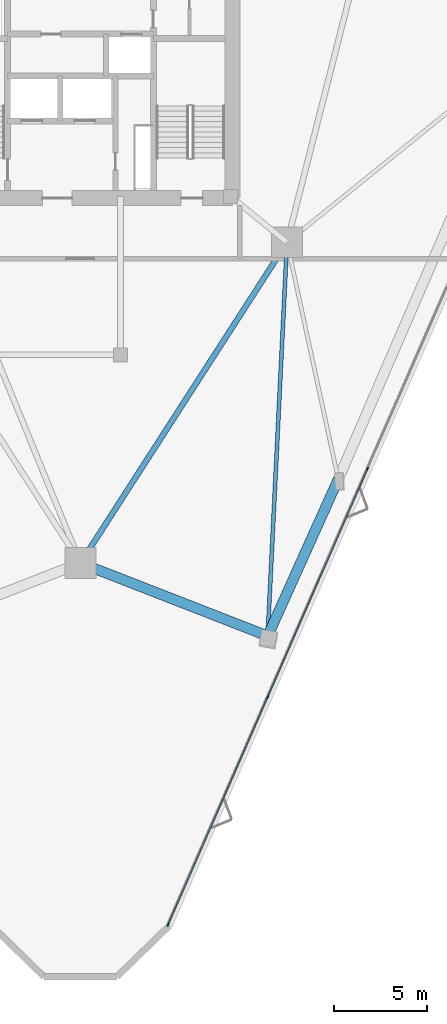
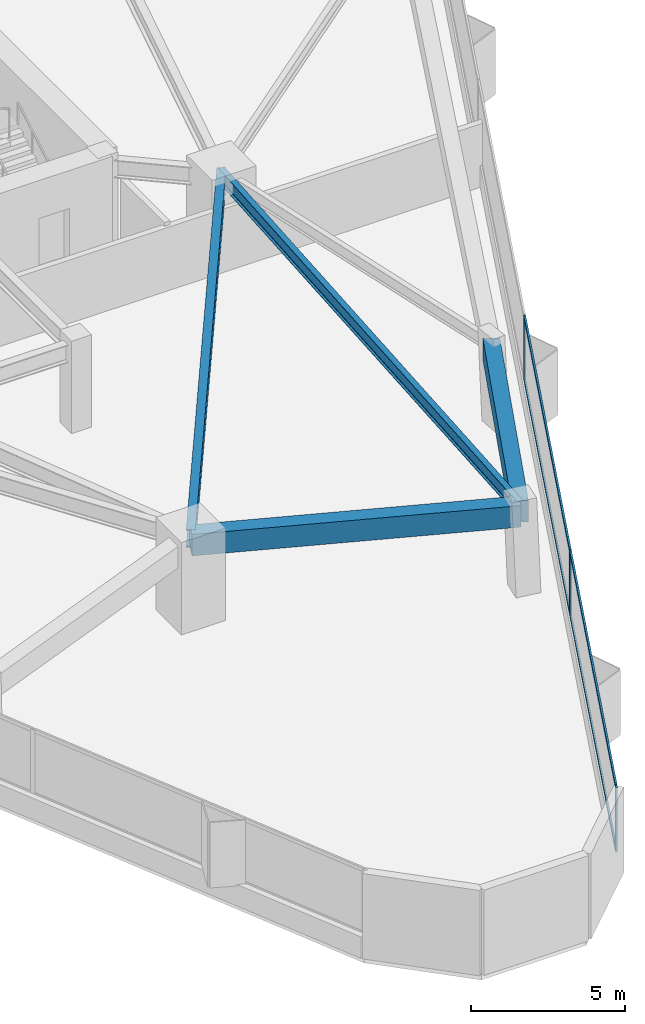
# One storey, part 4 of 19: 7 members, 4 beams, 1 element without a shape of its own.
"""IFC4 building model written with IfcOpenShell, lengths in metres."""

from ifc_helpers import new_model, si_unit, direction, frame, origin, origin_2d, place, context, subcontext, project, spatial, rectangle, i_section, extrude, material, layer, layer_set, material_profile, profile_set, type_object, element, aggregate, save


model = new_model("IFC4")

# Units and contexts
model_context = context("Model", 3, precision=1e-05, world=origin(), true_north=direction((0.0, 1.0)))
body_context = subcontext(model_context, "Body", "Model", "MODEL_VIEW")
ifc_project = project(units=[si_unit("LENGTHUNIT", "METRE"), si_unit("AREAUNIT", "SQUARE_METRE"), si_unit("VOLUMEUNIT", "CUBIC_METRE"), si_unit("PLANEANGLEUNIT", "RADIAN"), si_unit("MASSUNIT", "GRAM", prefix="KILO")], contexts=[model_context])

# Site, building, storey
site_placement = place(None, origin())
site = spatial("IfcSite", under=ifc_project, at=site_placement, CompositionType="ELEMENT")
building_placement = place(site_placement, origin())
building = spatial("IfcBuilding", under=site, at=building_placement, Name="Talyreon Biosciences Tower", CompositionType="ELEMENT")
storey_placement = place(building_placement, frame((0.0, 0.0, 85.949951171875)))
storey = spatial("IfcBuildingStorey", under=building, at=storey_placement, Name="L22", CompositionType="ELEMENT", Elevation=85.949951171875)

# Curtain wall, members
ifc_material_1 = material(Name="Thermally broken aluminium and low-E glazing", Category="aluminium")
ifc_layer = layer(ifc_material_1, 0.18994140625)
ifc_layer_set = layer_set([ifc_layer], Name="Thermally broken aluminium and low-E glazing")
curtain_wall_type = type_object("IfcCurtainWallType", Name="CurtainWall_Zone2Genomics", PredefinedType="NOTDEFINED", material=ifc_layer_set)
curtain_wall_placement = place(storey_placement, origin())
curtain_wall = element("IfcCurtainWall", 1, at=curtain_wall_placement, inside=storey, type_object=curtain_wall_type, Name="L22 Unitised Curtain Wall FCW-L22-08", PredefinedType="NOTDEFINED")
ifc_material_2 = material(Name="Anodised thermally broken aluminium", Category="aluminium")
ifc_material_profile_1 = material_profile(ifc_material_2, rectangle(XDim=0.06494140625, YDim=0.179931640625, at=origin_2d()), Name="ALUM MULLION 65x180")
ifc_profile_set_1 = profile_set([ifc_material_profile_1], Name="Anodised thermally broken aluminium")
member_type_1 = type_object("IfcMemberType", Name="CWMullion_65x180", PredefinedType="MULLION", material=ifc_profile_set_1)
member_1_placement = place(storey_placement, frame((81.40478515625, 46.721435546875, 0.81005859375), z_axis=(0.0, 0.0, 1.0), x_axis=(0.916213942072, -0.400689421314, 0.0)))
member_1 = element("IfcMember", 2, at=member_1_placement, type_object=member_type_1, Name="CW3 mullion 4", PredefinedType="MULLION", context=body_context, shape_type="SweptSolid", body=[
    extrude(rectangle(XDim=0.06494140625, YDim=0.179931640625, at=origin_2d()), origin(), (0.0, 0.0, 1.0), 2.56494140625),
])
member_2_placement = place(storey_placement, frame((76.0478515625, 34.472412109375, 0.81005859375), z_axis=(0.0, 0.0, 1.0), x_axis=(0.916213942072, -0.400689421314, 0.0)))
member_2 = element("IfcMember", 3, at=member_2_placement, type_object=member_type_1, Name="CW3 mullion 5", PredefinedType="MULLION", context=body_context, shape_type="SweptSolid", body=[
    extrude(rectangle(XDim=0.06494140625, YDim=0.179931640625, at=origin_2d()), origin(), (0.0, 0.0, 1.0), 2.56494140625),
])
member_3_placement = place(storey_placement, frame((70.7041015625, 22.253173828125, 0.81005859375), z_axis=(0.0, 0.0, 1.0), x_axis=(0.916213942072, -0.400689421314, 0.0)))
member_3 = element("IfcMember", 4, at=member_3_placement, type_object=member_type_1, Name="CW3 mullion 6", PredefinedType="MULLION", context=body_context, shape_type="SweptSolid", body=[
    extrude(rectangle(XDim=0.06494140625, YDim=0.179931640625, at=origin_2d()), origin(), (0.0, 0.0, 1.0), 2.56494140625),
])
ifc_material_profile_2 = material_profile(ifc_material_2, rectangle(XDim=0.06494140625, YDim=0.139892578125, at=origin_2d()), Name="ALUM TRANSOM 65x140")
ifc_profile_set_2 = profile_set([ifc_material_profile_2], Name="Anodised thermally broken aluminium")
member_type_2 = type_object("IfcMemberType", Name="CWTransom_65x140", PredefinedType="USERDEFINED", material=ifc_profile_set_2)
member_4_placement = place(storey_placement, frame((81.391845703125, 46.691650390625, 0.842529296875), z_axis=(-0.40068790809, -0.916214603852, 0.0), x_axis=(0.916214603852, -0.40068790809, 0.0)))
member_4 = element("IfcMember", 5, at=member_4_placement, type_object=member_type_2, Name="CW3 transom 4.1", ObjectType="TRANSOM", PredefinedType="USERDEFINED", context=body_context, shape_type="SweptSolid", body=[
    extrude(rectangle(XDim=0.06494140625, YDim=0.139892578125, at=origin_2d()), origin(), (0.0, 0.0, 1.0), 13.30419921875),
])
member_5_placement = place(storey_placement, frame((81.391845703125, 46.691650390625, 3.342529296875), z_axis=(-0.40068790809, -0.916214603852, 0.0), x_axis=(0.916214603852, -0.40068790809, 0.0)))
member_5 = element("IfcMember", 6, at=member_5_placement, type_object=member_type_2, Name="CW3 transom 4.2", ObjectType="TRANSOM", PredefinedType="USERDEFINED", context=body_context, shape_type="SweptSolid", body=[
    extrude(rectangle(XDim=0.06494140625, YDim=0.139892578125, at=origin_2d()), origin(), (0.0, 0.0, 1.0), 13.30419921875),
])
member_6_placement = place(storey_placement, frame((76.034912109375, 34.442626953125, 0.842529296875), z_axis=(-0.40069337817, -0.916212211603, 0.0), x_axis=(0.916212211603, -0.40069337817, 0.0)))
member_6 = element("IfcMember", 7, at=member_6_placement, type_object=member_type_2, Name="CW3 transom 5.1", ObjectType="TRANSOM", PredefinedType="USERDEFINED", context=body_context, shape_type="SweptSolid", body=[
    extrude(rectangle(XDim=0.06494140625, YDim=0.139892578125, at=origin_2d()), origin(), (0.0, 0.0, 1.0), 13.271728515625),
])
member_7_placement = place(storey_placement, frame((76.034912109375, 34.442626953125, 3.342529296875), z_axis=(-0.40069337817, -0.916212211603, 0.0), x_axis=(0.916212211603, -0.40069337817, 0.0)))
member_7 = element("IfcMember", 8, at=member_7_placement, type_object=member_type_2, Name="CW3 transom 5.2", ObjectType="TRANSOM", PredefinedType="USERDEFINED", context=body_context, shape_type="SweptSolid", body=[
    extrude(rectangle(XDim=0.06494140625, YDim=0.139892578125, at=origin_2d()), origin(), (0.0, 0.0, 1.0), 13.271728515625),
])
aggregate(curtain_wall, [member_1, member_2, member_3, member_4, member_5, member_6, member_7])

# Beams
ifc_material_3 = material(Name="Precast concrete C45/55", Category="concrete")
ifc_material_profile_3 = material_profile(ifc_material_3, rectangle(XDim=0.550048828125, YDim=0.85009765625, at=origin_2d()), Name="RCB 550x850")
ifc_profile_set_3 = profile_set([ifc_material_profile_3], Name="Precast concrete C45/55")
beam_type_1 = type_object("IfcBeamType", Name="ExpressedSpandrel_550x850", PredefinedType="SPANDREL", material=ifc_profile_set_3)
beam_1_placement = place(storey_placement, frame((66.0, 41.6669921875, 2.949951171875), z_axis=(0.931662293979, -0.363325432606, 0.0), x_axis=(0.363325432606, 0.931662293979, 0.0)))
element("IfcBeam", 9, at=beam_1_placement, inside=storey, type_object=beam_type_1, Name="L22 Expressed Horizontal Concrete Spandrel 01", PredefinedType="SPANDREL", context=body_context, shape_type="SweptSolid", body=[
    extrude(rectangle(XDim=0.550048828125, YDim=0.85009765625, at=origin_2d()), origin(), (0.0, 0.0, 1.0), 10.78564453125),
])
beam_2_placement = place(storey_placement, frame((76.048583984375, 37.748291015625, 2.949951171875), z_axis=(0.410499954625, 0.911860618325, 0.0), x_axis=(-0.911860618325, 0.410499954625, 0.0)))
element("IfcBeam", 10, at=beam_2_placement, inside=storey, type_object=beam_type_1, Name="L22 Expressed Horizontal Concrete Spandrel 02", PredefinedType="SPANDREL", context=body_context, shape_type="SweptSolid", body=[
    extrude(rectangle(XDim=0.550048828125, YDim=0.85009765625, at=origin_2d()), origin(), (0.0, 0.0, 1.0), 9.229736328125),
])
ifc_material_4 = material(Name="Steel SM355", Category="steel")
ifc_material_profile_4 = material_profile(ifc_material_4, i_section(OverallWidth=0.300048828125, OverallDepth=0.699951171875, WebThickness=0.01708984375, FlangeThickness=0.031982421875, FilletRadius=0.027099609375, at=origin_2d()), Name="HE700B")
ifc_profile_set_4 = profile_set([ifc_material_profile_4], Name="Steel SM355")
beam_type_2 = type_object("IfcBeamType", Name="SteelGirder_HE700B", PredefinedType="BEAM", material=ifc_profile_set_4)
beam_3_placement = place(storey_placement, frame((66.0, 41.6669921875, 3.025146484375), z_axis=(0.541463723609, 0.840724114092, 0.0), x_axis=(-0.840724114092, 0.541463723609, 0.0)))
element("IfcBeam", 11, at=beam_3_placement, inside=storey, type_object=beam_type_2, Name="L22 Mega-Ring Girder 1", PredefinedType="BEAM", context=body_context, shape_type="SweptSolid", body=[
    extrude(i_section(OverallWidth=0.300048828125, OverallDepth=0.699951171875, WebThickness=0.01708984375, FlangeThickness=0.031982421875, FilletRadius=0.027099609375, at=origin_2d()), origin(), (0.0, 0.0, 1.0), 20.474365234375),
])
ifc_material_profile_5 = material_profile(ifc_material_4, i_section(OverallWidth=0.2099609375, OverallDepth=0.550048828125, WebThickness=0.010986328125, FlangeThickness=0.01708984375, FilletRadius=0.02392578125, at=origin_2d()), Name="IPE550")
ifc_profile_set_5 = profile_set([ifc_material_profile_5], Name="Steel SM355")
beam_type_3 = type_object("IfcBeamType", Name="SteelJoist_IPE550", PredefinedType="JOIST", material=ifc_profile_set_5)
beam_4_placement = place(storey_placement, frame((77.086181640625, 58.88037109375, 3.10009765625), z_axis=(-0.04904151195, -0.998796741137, 0.0), x_axis=(0.998796741137, -0.04904151195, 0.0)))
element("IfcBeam", 12, at=beam_4_placement, inside=storey, type_object=beam_type_3, Name="L22 Radial Composite Floor Joist PC-SE1", PredefinedType="JOIST", context=body_context, shape_type="SweptSolid", body=[
    extrude(i_section(OverallWidth=0.2099609375, OverallDepth=0.550048828125, WebThickness=0.010986328125, FlangeThickness=0.01708984375, FilletRadius=0.02392578125, at=origin_2d()), origin(), (0.0, 0.0, 1.0), 21.157470703125),
])

save(model, "model.ifc")
